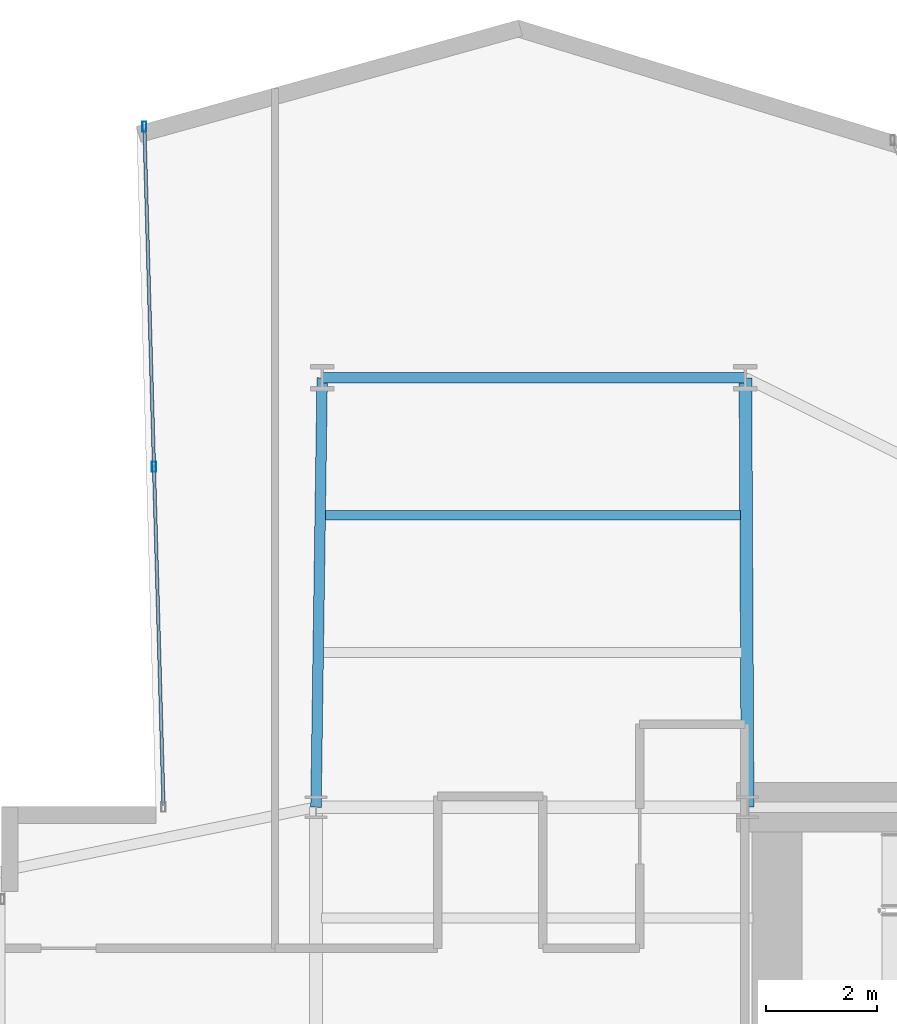
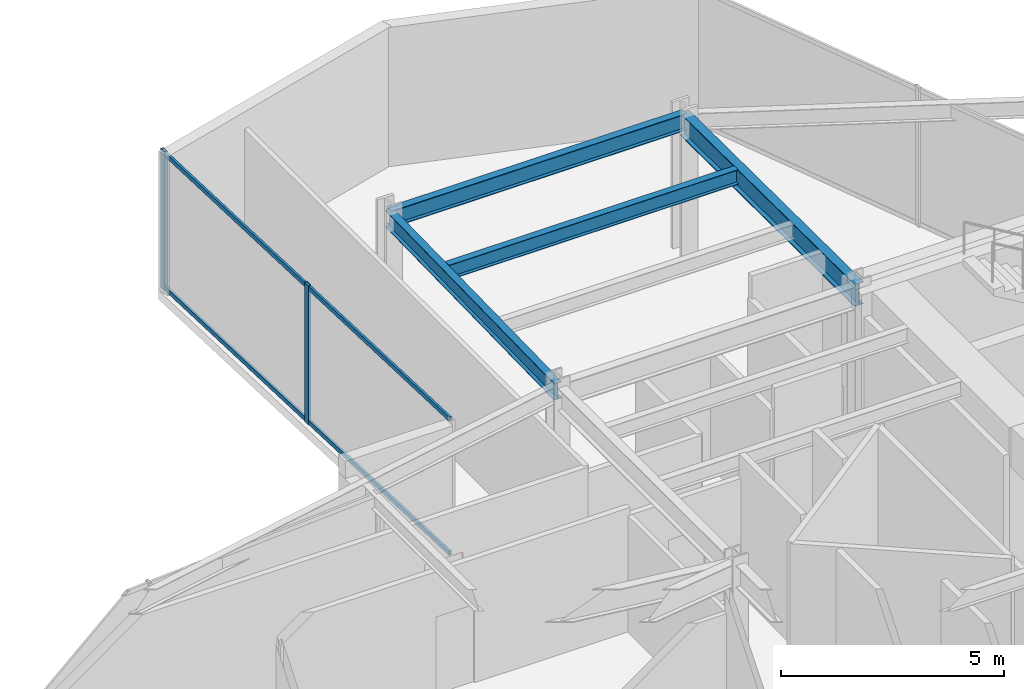
# One storey, part 20 of 30: 4 beams, 4 members, 1 element without a shape of its own.
"""IFC4 building model written with IfcOpenShell, lengths in metres."""

from ifc_helpers import new_model, si_unit, direction, frame, origin, origin_2d, place, context, subcontext, project, spatial, hollow_rectangle, i_section, extrude, material, layer, layer_set, material_profile, profile_set, type_object, element, aggregate, save


model = new_model("IFC4")

# Units and contexts
model_context = context("Model", 3, precision=1e-05, world=origin(), true_north=direction((0.0, 1.0)))
body_context = subcontext(model_context, "Body", "Model", "MODEL_VIEW")
ifc_project = project(units=[si_unit("LENGTHUNIT", "METRE"), si_unit("AREAUNIT", "SQUARE_METRE"), si_unit("VOLUMEUNIT", "CUBIC_METRE"), si_unit("PLANEANGLEUNIT", "RADIAN"), si_unit("MASSUNIT", "GRAM", prefix="KILO")], contexts=[model_context])

# Site, building, storey
site_placement = place(None, origin())
site = spatial("IfcSite", under=ifc_project, at=site_placement, CompositionType="ELEMENT")
building_placement = place(site_placement, origin())
building = spatial("IfcBuilding", under=site, at=building_placement, Name="Veymaron Broadcast Tower", CompositionType="ELEMENT")
storey_placement = place(building_placement, frame((0.0, 0.0, 54.0)))
storey = spatial("IfcBuildingStorey", under=building, at=storey_placement, Name="L11", CompositionType="ELEMENT", Elevation=54.0)

# Beams
ifc_material_1 = material(Name="Structural steel ASTM A992 Gr 50", Category="steel")
ifc_material_profile_1 = material_profile(ifc_material_1, i_section(OverallWidth=0.22998046875, OverallDepth=0.616943359375, WebThickness=0.01318359375, FlangeThickness=0.022216796875, at=origin_2d()), Name="W610X140")
ifc_profile_set_1 = profile_set([ifc_material_profile_1], Name="Structural steel ASTM A992 Gr 50")
beam_type_1 = type_object("IfcBeamType", Name="BM-FG1", PredefinedType="BEAM", material=ifc_profile_set_1)
beam_1_placement = place(storey_placement, frame((39.0, 32.0, 3.50146484375), z_axis=(-0.00515959783, 0.999986689187, 0.0), x_axis=(-0.999986689187, -0.00515959783, 0.0)))
element("IfcBeam", 1, at=beam_1_placement, inside=storey, type_object=beam_type_1, Name="L11 primary structural floor girder", PredefinedType="BEAM", context=body_context, shape_type="SweptSolid", body=[
    extrude(i_section(OverallWidth=0.22998046875, OverallDepth=0.616943359375, WebThickness=0.01318359375, FlangeThickness=0.022216796875, at=origin_2d()), origin(), (0.0, 0.0, 1.0), 7.760009765625),
])
ifc_material_profile_2 = material_profile(ifc_material_1, i_section(OverallWidth=0.177978515625, OverallDepth=0.406982421875, WebThickness=0.0078125, FlangeThickness=0.0126953125, at=origin_2d()), Name="W410X60")
ifc_profile_set_2 = profile_set([ifc_material_profile_2], Name="Structural steel ASTM A992 Gr 50")
beam_type_2 = type_object("IfcBeamType", Name="BM-JS1", PredefinedType="JOIST", material=ifc_profile_set_2)
beam_2_placement = place(storey_placement, frame((31.376220703125, 37.27685546875, 3.6064453125), z_axis=(1.0, 0.0, 0.0), x_axis=(0.0, 1.0, 0.0)))
element("IfcBeam", 2, at=beam_2_placement, inside=storey, type_object=beam_type_2, Name="L11 Arm-B secondary joist 2", PredefinedType="JOIST", context=body_context, shape_type="SweptSolid", body=[
    extrude(i_section(OverallWidth=0.177978515625, OverallDepth=0.406982421875, WebThickness=0.0078125, FlangeThickness=0.0126953125, at=origin_2d()), origin(), (0.0, 0.0, 1.0), 7.49658203125),
])
ifc_material_profile_3 = material_profile(ifc_material_1, i_section(OverallWidth=0.19091796875, OverallDepth=0.4599609375, WebThickness=0.010009765625, FlangeThickness=0.01611328125, at=origin_2d()), Name="W460X82")
ifc_profile_set_3 = profile_set([ifc_material_profile_3], Name="Structural steel ASTM A992 Gr 50")
beam_type_3 = type_object("IfcBeamType", Name="BM-SP1", PredefinedType="SPANDREL", material=ifc_profile_set_3)
beam_3_placement = place(storey_placement, frame((31.199951171875, 32.0, 3.580078125), z_axis=(0.014439268475, 0.999895748329, 0.0), x_axis=(-0.999895748329, 0.014439268475, 0.0)))
element("IfcBeam", 3, at=beam_3_placement, inside=storey, type_object=beam_type_3, Name="L11 primary structural floor girder", PredefinedType="SPANDREL", context=body_context, shape_type="SweptSolid", body=[
    extrude(i_section(OverallWidth=0.19091796875, OverallDepth=0.4599609375, WebThickness=0.010009765625, FlangeThickness=0.01611328125, at=origin_2d()), origin(), (0.0, 0.0, 1.0), 7.7607421875),
])
beam_4_placement = place(storey_placement, frame((31.31201171875, 39.760009765625, 3.580078125), z_axis=(1.0, 0.0, 0.0), x_axis=(0.0, 1.0, 0.0)))
element("IfcBeam", 4, at=beam_4_placement, inside=storey, type_object=beam_type_3, Name="L11 primary structural floor girder", PredefinedType="SPANDREL", context=body_context, shape_type="SweptSolid", body=[
    extrude(i_section(OverallWidth=0.19091796875, OverallDepth=0.4599609375, WebThickness=0.010009765625, FlangeThickness=0.01611328125, at=origin_2d()), origin(), (0.0, 0.0, 1.0), 7.64794921875),
])

# Curtain wall, members
ifc_material_2 = material(Name="Anodised aluminium AA 6063-T6 and laminated low-E dark glass", Category="aluminium")
ifc_layer = layer(ifc_material_2, 0.179931640625)
ifc_layer_set = layer_set([ifc_layer], Name="Anodised aluminium AA 6063-T6 and laminated low-E dark glass")
curtain_wall_type = type_object("IfcCurtainWallType", Name="CW-SYS-02", PredefinedType="NOTDEFINED", material=ifc_layer_set)
curtain_wall_placement = place(storey_placement, origin())
curtain_wall = element("IfcCurtainWall", 5, at=curtain_wall_placement, inside=storey, type_object=curtain_wall_type, Name="L11 dark-glass curtain wall CW-L11-E8-1", PredefinedType="NOTDEFINED")
ifc_material_3 = material(Name="Anodised aluminium AA 6063-T6", Category="aluminium")
ifc_material_profile_4 = material_profile(ifc_material_3, hollow_rectangle(XDim=0.074951171875, YDim=0.179931640625, WallThickness=0.0048828125, at=origin_2d()), Name="AL180X75X5")
ifc_profile_set_4 = profile_set([ifc_material_profile_4], Name="Anodised aluminium AA 6063-T6")
member_type_1 = type_object("IfcMemberType", Name="CW-MUL-02", PredefinedType="MULLION", material=ifc_profile_set_4)
member_1_placement = place(storey_placement, frame((28.099609375, 44.2998046875, 0.0), z_axis=(0.0, 0.0, 1.0), x_axis=(1.0, 0.0, 0.0)))
member_1 = element("IfcMember", 6, at=member_1_placement, type_object=member_type_1, Name="CW-L11-E8-1 mullion 0", PredefinedType="MULLION", context=body_context, shape_type="SweptSolid", body=[
    extrude(hollow_rectangle(XDim=0.074951171875, YDim=0.179931640625, WallThickness=0.0048828125, at=origin_2d()), origin(), (0.0, 0.0, 1.0), 3.81005859375),
])
member_2_placement = place(storey_placement, frame((28.2724609375, 38.15185546875, 0.0), z_axis=(0.0, 0.0, 1.0), x_axis=(1.0, 0.0, 0.0)))
member_2 = element("IfcMember", 7, at=member_2_placement, type_object=member_type_1, Name="CW-L11-E8-1 mullion 1", PredefinedType="MULLION", context=body_context, shape_type="SweptSolid", body=[
    extrude(hollow_rectangle(XDim=0.074951171875, YDim=0.179931640625, WallThickness=0.0048828125, at=origin_2d()), origin(), (0.0, 0.0, 1.0), 3.81005859375),
])
ifc_material_profile_5 = material_profile(ifc_material_3, hollow_rectangle(XDim=0.06005859375, YDim=0.1201171875, WallThickness=0.00390625, at=origin_2d()), Name="AL120X60X4")
ifc_profile_set_5 = profile_set([ifc_material_profile_5], Name="Anodised aluminium AA 6063-T6")
member_type_2 = type_object("IfcMemberType", Name="CW-TRN-02", PredefinedType="USERDEFINED", material=ifc_profile_set_5)
member_3_placement = place(storey_placement, frame((28.100830078125, 44.25, 0.070068359375), z_axis=(0.028134189619, -0.999604155341, 0.0), x_axis=(0.999604155341, 0.028134189619, 0.0)))
member_3 = element("IfcMember", 8, at=member_3_placement, type_object=member_type_2, Name="CW-L11-E8-1 transom B", ObjectType="TRANSOM", PredefinedType="USERDEFINED", context=body_context, shape_type="SweptSolid", body=[
    extrude(hollow_rectangle(XDim=0.06005859375, YDim=0.1201171875, WallThickness=0.00390625, at=origin_2d()), origin(), (0.0, 0.0, 1.0), 12.200927734375),
])
member_4_placement = place(storey_placement, frame((28.100830078125, 44.25, 3.739990234375), z_axis=(0.028134189619, -0.999604155341, 0.0), x_axis=(0.999604155341, 0.028134189619, 0.0)))
member_4 = element("IfcMember", 9, at=member_4_placement, type_object=member_type_2, Name="CW-L11-E8-1 transom T", ObjectType="TRANSOM", PredefinedType="USERDEFINED", context=body_context, shape_type="SweptSolid", body=[
    extrude(hollow_rectangle(XDim=0.06005859375, YDim=0.1201171875, WallThickness=0.00390625, at=origin_2d()), origin(), (0.0, 0.0, 1.0), 12.200927734375),
])
aggregate(curtain_wall, [member_1, member_2, member_3, member_4])

save(model, "model.ifc")
